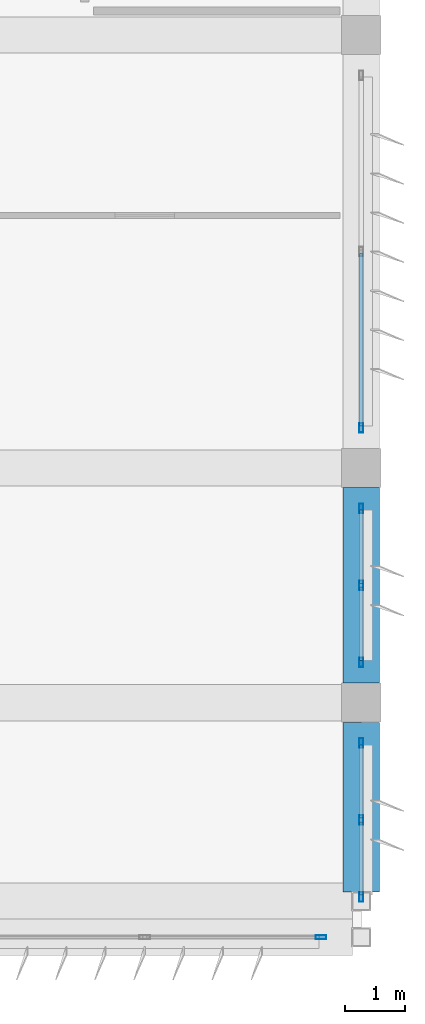
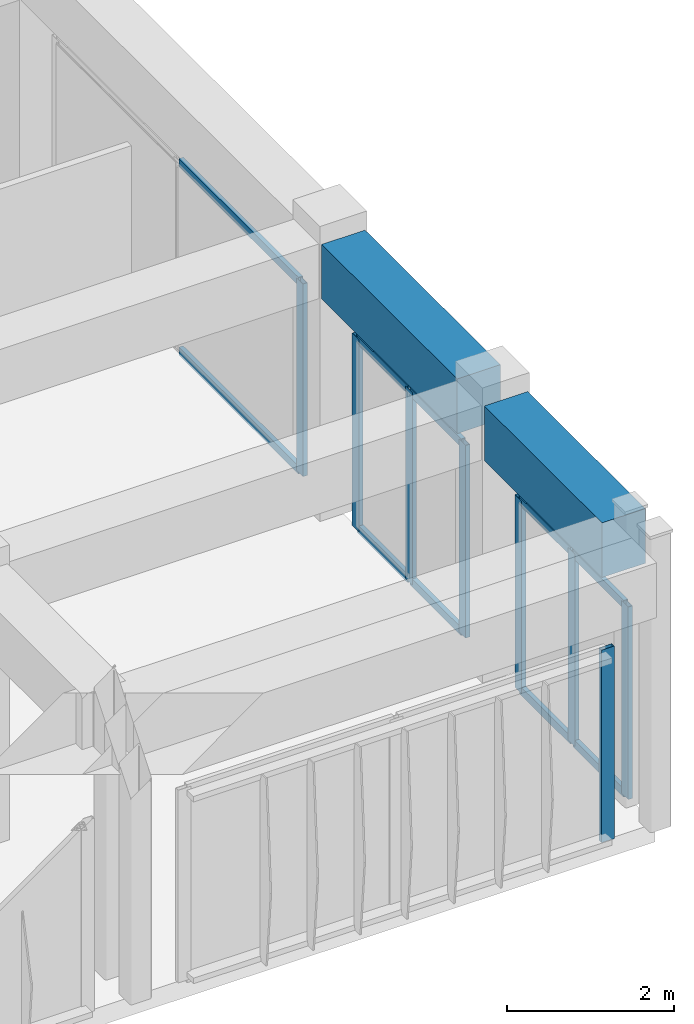
# One storey, part 24 of 42: 18 members, 2 beams, 4 elements without a shape of their own.
"""IFC4 building model written with IfcOpenShell, lengths in metres."""

from ifc_helpers import new_model, si_unit, direction, frame, origin, origin_2d, place, context, subcontext, project, spatial, rectangle, hollow_rectangle, extrude, material, material_profile, profile_set, type_object, element, aggregate, save


model = new_model("IFC4")

# Units and contexts
model_context = context("Model", 3, precision=1e-05, world=origin(), true_north=direction((0.0, 1.0)))
body_context = subcontext(model_context, "Body", "Model", "MODEL_VIEW")
ifc_project = project(units=[si_unit("LENGTHUNIT", "METRE"), si_unit("AREAUNIT", "SQUARE_METRE"), si_unit("VOLUMEUNIT", "CUBIC_METRE"), si_unit("PLANEANGLEUNIT", "RADIAN"), si_unit("MASSUNIT", "GRAM", prefix="KILO")], contexts=[model_context])

# Site, building, storey
site_placement = place(None, origin())
site = spatial("IfcSite", under=ifc_project, at=site_placement, CompositionType="ELEMENT")
building_placement = place(site_placement, origin())
building = spatial("IfcBuilding", under=site, at=building_placement, Name="Kazehaya Institute of Natural Sciences", CompositionType="ELEMENT")
storey_placement = place(building_placement, frame((0.0, 0.0, 37.6201171875)))
storey = spatial("IfcBuildingStorey", under=building, at=storey_placement, Name="L08", CompositionType="ELEMENT", Elevation=37.6201171875)

# Beams
ifc_material_1 = material(Name="Concrete Fc36", Category="concrete")
ifc_material_profile_1 = material_profile(ifc_material_1, rectangle(XDim=0.60009765625, YDim=0.800048828125, at=origin_2d()), Name="RC-600x800")
ifc_profile_set_1 = profile_set([ifc_material_profile_1], Name="Concrete Fc36")
beam_type = type_object("IfcBeamType", Name="BM-G-600x800", PredefinedType="BEAM", material=ifc_profile_set_1)
beam_1_placement = place(storey_placement, frame((119.39990234375, 6.949951171875, 3.64990234375), z_axis=(0.0, 1.0, 0.0), x_axis=(-1.0, 0.0, 0.0)))
element("IfcBeam", 1, at=beam_1_placement, inside=storey, type_object=beam_type, Name="L08 primary Y girder BMY-L08-1194-68", PredefinedType="BEAM", context=body_context, shape_type="SweptSolid", body=[
    extrude(rectangle(XDim=0.60009765625, YDim=0.800048828125, at=origin_2d()), origin(), (0.0, 0.0, 1.0), 2.824951171875),
])
beam_2_placement = place(storey_placement, frame((119.39990234375, 10.425048828125, 3.64990234375), z_axis=(0.0, 1.0, 0.0), x_axis=(-1.0, 0.0, 0.0)))
element("IfcBeam", 2, at=beam_2_placement, inside=storey, type_object=beam_type, Name="L08 primary Y girder BMY-L08-1194-101", PredefinedType="BEAM", context=body_context, shape_type="SweptSolid", body=[
    extrude(rectangle(XDim=0.60009765625, YDim=0.800048828125, at=origin_2d()), origin(), (0.0, 0.0, 1.0), 3.25),
])

# Curtain wall, members
ifc_material_2 = material(Name="Aluminium alloy A6063S-T5", Category="aluminium")
curtain_wall_type_1 = type_object("IfcCurtainWallType", Name="CW-SYS-09", PredefinedType="NOTDEFINED", material=ifc_material_2)
curtain_wall_1_placement = place(storey_placement, origin())
curtain_wall_1 = element("IfcCurtainWall", 3, at=curtain_wall_1_placement, inside=storey, type_object=curtain_wall_type_1, Name="L08 unitised curtain wall CW-L08-194", PredefinedType="NOTDEFINED")
ifc_material_profile_2 = material_profile(ifc_material_2, hollow_rectangle(XDim=0.06005859375, YDim=0.159912109375, WallThickness=0.00390625, at=origin_2d()), Name="ALU-60x160x4")
ifc_profile_set_2 = profile_set([ifc_material_profile_2], Name="Aluminium alloy A6063S-T5")
member_type_1 = type_object("IfcMemberType", Name="CWM-160", PredefinedType="MULLION", material=ifc_profile_set_2)
member_1_placement = place(storey_placement, frame((119.39990234375, 9.429931640625, 0.0), z_axis=(0.0, 0.0, 1.0), x_axis=(1.0, 0.0, 0.0)))
member_1 = element("IfcMember", 4, at=member_1_placement, type_object=member_type_1, Name="CW09 mullion 1", PredefinedType="MULLION", context=body_context, shape_type="SweptSolid", body=[
    extrude(hollow_rectangle(XDim=0.06005859375, YDim=0.159912109375, WallThickness=0.00390625, at=origin_2d()), origin(), (0.0, 0.0, 1.0), 2.81982421875),
])
member_2_placement = place(storey_placement, frame((119.39990234375, 8.14990234375, 0.0), z_axis=(0.0, 0.0, 1.0), x_axis=(1.0, 0.0, 0.0)))
member_2 = element("IfcMember", 5, at=member_2_placement, type_object=member_type_1, Name="CW09 mullion 2", PredefinedType="MULLION", context=body_context, shape_type="SweptSolid", body=[
    extrude(hollow_rectangle(XDim=0.06005859375, YDim=0.159912109375, WallThickness=0.00390625, at=origin_2d()), origin(), (0.0, 0.0, 1.0), 2.81982421875),
])
member_3_placement = place(storey_placement, frame((119.39990234375, 6.8701171875, 0.0), z_axis=(0.0, 0.0, 1.0), x_axis=(1.0, 0.0, 0.0)))
member_3 = element("IfcMember", 6, at=member_3_placement, type_object=member_type_1, Name="CW09 mullion 3", PredefinedType="MULLION", context=body_context, shape_type="SweptSolid", body=[
    extrude(hollow_rectangle(XDim=0.06005859375, YDim=0.159912109375, WallThickness=0.00390625, at=origin_2d()), origin(), (0.0, 0.0, 1.0), 2.81982421875),
])

curtain_wall_2_placement = place(storey_placement, origin())
curtain_wall_2 = element("IfcCurtainWall", 7, at=curtain_wall_2_placement, inside=storey, type_object=curtain_wall_type_1, Name="L08 unitised curtain wall CW-L08-196", PredefinedType="NOTDEFINED")
member_4_placement = place(storey_placement, frame((119.39990234375, 13.330078125, 0.0), z_axis=(0.0, 0.0, 1.0), x_axis=(1.0, 0.0, 0.0)))
member_4 = element("IfcMember", 8, at=member_4_placement, type_object=member_type_1, Name="CW09 mullion 1", PredefinedType="MULLION", context=body_context, shape_type="SweptSolid", body=[
    extrude(hollow_rectangle(XDim=0.06005859375, YDim=0.159912109375, WallThickness=0.00390625, at=origin_2d()), origin(), (0.0, 0.0, 1.0), 2.81982421875),
])
member_5_placement = place(storey_placement, frame((119.39990234375, 12.050048828125, 0.0), z_axis=(0.0, 0.0, 1.0), x_axis=(1.0, 0.0, 0.0)))
member_5 = element("IfcMember", 9, at=member_5_placement, type_object=member_type_1, Name="CW09 mullion 2", PredefinedType="MULLION", context=body_context, shape_type="SweptSolid", body=[
    extrude(hollow_rectangle(XDim=0.06005859375, YDim=0.159912109375, WallThickness=0.00390625, at=origin_2d()), origin(), (0.0, 0.0, 1.0), 2.81982421875),
])
member_6_placement = place(storey_placement, frame((119.39990234375, 10.77001953125, 0.0), z_axis=(0.0, 0.0, 1.0), x_axis=(1.0, 0.0, 0.0)))
member_6 = element("IfcMember", 10, at=member_6_placement, type_object=member_type_1, Name="CW09 mullion 3", PredefinedType="MULLION", context=body_context, shape_type="SweptSolid", body=[
    extrude(hollow_rectangle(XDim=0.06005859375, YDim=0.159912109375, WallThickness=0.00390625, at=origin_2d()), origin(), (0.0, 0.0, 1.0), 2.81982421875),
])

# Curtain wall, member
curtain_wall_type_2 = type_object("IfcCurtainWallType", Name="CW-SYS-10", PredefinedType="NOTDEFINED", material=ifc_material_2)
curtain_wall_3_placement = place(storey_placement, origin())
curtain_wall_3 = element("IfcCurtainWall", 11, at=curtain_wall_3_placement, inside=storey, type_object=curtain_wall_type_2, Name="L08 unitised curtain wall CW-L08-198", PredefinedType="NOTDEFINED")
member_7_placement = place(storey_placement, frame((119.39990234375, 14.669921875, 0.0), z_axis=(0.0, 0.0, 1.0), x_axis=(1.0, 0.0, 0.0)))
member_7 = element("IfcMember", 12, at=member_7_placement, type_object=member_type_1, Name="CW10 mullion 3", PredefinedType="MULLION", context=body_context, shape_type="SweptSolid", body=[
    extrude(hollow_rectangle(XDim=0.06005859375, YDim=0.159912109375, WallThickness=0.00390625, at=origin_2d()), origin(), (0.0, 0.0, 1.0), 2.81982421875),
])

curtain_wall_type_3 = type_object("IfcCurtainWallType", Name="CW-SYS-05", PredefinedType="NOTDEFINED", material=ifc_material_2)
curtain_wall_4_placement = place(storey_placement, origin())
curtain_wall_4 = element("IfcCurtainWall", 13, at=curtain_wall_4_placement, inside=storey, type_object=curtain_wall_type_3, Name="L08 unitised curtain wall CW-L08-176", PredefinedType="NOTDEFINED")
ifc_material_profile_3 = material_profile(ifc_material_2, hollow_rectangle(XDim=0.06005859375, YDim=0.179931640625, WallThickness=0.00390625, at=origin_2d()), Name="ALU-60x180x4")
ifc_profile_set_3 = profile_set([ifc_material_profile_3], Name="Aluminium alloy A6063S-T5")
member_type_2 = type_object("IfcMemberType", Name="CWM-180", PredefinedType="MULLION", material=ifc_profile_set_3)
member_8_placement = place(storey_placement, frame((118.72998046875, 6.199951171875, 0.0), z_axis=(0.0, 0.0, 1.0), x_axis=(0.0, -1.0, 0.0)))
member_8 = element("IfcMember", 14, at=member_8_placement, type_object=member_type_2, Name="CW05 mullion 1", PredefinedType="MULLION", context=body_context, shape_type="SweptSolid", body=[
    extrude(hollow_rectangle(XDim=0.06005859375, YDim=0.179931640625, WallThickness=0.00390625, at=origin_2d()), origin(), (0.0, 0.0, 1.0), 2.81982421875),
])
aggregate(curtain_wall_4, [member_8])

# Member
ifc_material_profile_4 = material_profile(ifc_material_2, hollow_rectangle(XDim=0.06005859375, YDim=0.1201171875, WallThickness=0.00341796875, at=origin_2d()), Name="ALU-60x120x3.5")
ifc_profile_set_4 = profile_set([ifc_material_profile_4], Name="Aluminium alloy A6063S-T5")
member_type_3 = type_object("IfcMemberType", Name="CWT-120", PredefinedType="USERDEFINED", material=ifc_profile_set_4)
member_9_placement = place(storey_placement, frame((119.39990234375, 9.39990234375, 0.02978515625), z_axis=(0.0, -1.0, 0.0), x_axis=(1.0, 0.0, 0.0)))
member_9 = element("IfcMember", 15, at=member_9_placement, type_object=member_type_3, Name="CW09 transom 1.1", ObjectType="TRANSOM", PredefinedType="USERDEFINED", context=body_context, shape_type="SweptSolid", body=[
    extrude(hollow_rectangle(XDim=0.06005859375, YDim=0.1201171875, WallThickness=0.00341796875, at=origin_2d()), origin(), (0.0, 0.0, 1.0), 1.219970703125),
])

member_10_placement = place(storey_placement, frame((119.39990234375, 9.39990234375, 2.789794921875), z_axis=(0.0, -1.0, 0.0), x_axis=(1.0, 0.0, 0.0)))
member_10 = element("IfcMember", 16, at=member_10_placement, type_object=member_type_3, Name="CW09 transom 1.2", ObjectType="TRANSOM", PredefinedType="USERDEFINED", context=body_context, shape_type="SweptSolid", body=[
    extrude(hollow_rectangle(XDim=0.06005859375, YDim=0.1201171875, WallThickness=0.00341796875, at=origin_2d()), origin(), (0.0, 0.0, 1.0), 1.219970703125),
])

member_11_placement = place(storey_placement, frame((119.39990234375, 8.1201171875, 0.02978515625), z_axis=(0.0, -1.0, 0.0), x_axis=(1.0, 0.0, 0.0)))
member_11 = element("IfcMember", 17, at=member_11_placement, type_object=member_type_3, Name="CW09 transom 2.1", ObjectType="TRANSOM", PredefinedType="USERDEFINED", context=body_context, shape_type="SweptSolid", body=[
    extrude(hollow_rectangle(XDim=0.06005859375, YDim=0.1201171875, WallThickness=0.00341796875, at=origin_2d()), origin(), (0.0, 0.0, 1.0), 1.22021484375),
])

member_12_placement = place(storey_placement, frame((119.39990234375, 8.1201171875, 2.789794921875), z_axis=(0.0, -1.0, 0.0), x_axis=(1.0, 0.0, 0.0)))
member_12 = element("IfcMember", 18, at=member_12_placement, type_object=member_type_3, Name="CW09 transom 2.2", ObjectType="TRANSOM", PredefinedType="USERDEFINED", context=body_context, shape_type="SweptSolid", body=[
    extrude(hollow_rectangle(XDim=0.06005859375, YDim=0.1201171875, WallThickness=0.00341796875, at=origin_2d()), origin(), (0.0, 0.0, 1.0), 1.22021484375),
])

aggregate(curtain_wall_1, [member_1, member_2, member_3, member_9, member_10, member_11, member_12])

member_13_placement = place(storey_placement, frame((119.39990234375, 13.300048828125, 0.02978515625), z_axis=(0.0, -1.0, 0.0), x_axis=(1.0, 0.0, 0.0)))
member_13 = element("IfcMember", 19, at=member_13_placement, type_object=member_type_3, Name="CW09 transom 1.1", ObjectType="TRANSOM", PredefinedType="USERDEFINED", context=body_context, shape_type="SweptSolid", body=[
    extrude(hollow_rectangle(XDim=0.06005859375, YDim=0.1201171875, WallThickness=0.00341796875, at=origin_2d()), origin(), (0.0, 0.0, 1.0), 1.219970703125),
])

member_14_placement = place(storey_placement, frame((119.39990234375, 13.300048828125, 2.789794921875), z_axis=(0.0, -1.0, 0.0), x_axis=(1.0, 0.0, 0.0)))
member_14 = element("IfcMember", 20, at=member_14_placement, type_object=member_type_3, Name="CW09 transom 1.2", ObjectType="TRANSOM", PredefinedType="USERDEFINED", context=body_context, shape_type="SweptSolid", body=[
    extrude(hollow_rectangle(XDim=0.06005859375, YDim=0.1201171875, WallThickness=0.00341796875, at=origin_2d()), origin(), (0.0, 0.0, 1.0), 1.219970703125),
])

member_15_placement = place(storey_placement, frame((119.39990234375, 12.02001953125, 0.02978515625), z_axis=(0.0, -1.0, 0.0), x_axis=(1.0, 0.0, 0.0)))
member_15 = element("IfcMember", 21, at=member_15_placement, type_object=member_type_3, Name="CW09 transom 2.1", ObjectType="TRANSOM", PredefinedType="USERDEFINED", context=body_context, shape_type="SweptSolid", body=[
    extrude(hollow_rectangle(XDim=0.06005859375, YDim=0.1201171875, WallThickness=0.00341796875, at=origin_2d()), origin(), (0.0, 0.0, 1.0), 1.219970703125),
])

member_16_placement = place(storey_placement, frame((119.39990234375, 12.02001953125, 2.789794921875), z_axis=(0.0, -1.0, 0.0), x_axis=(1.0, 0.0, 0.0)))
member_16 = element("IfcMember", 22, at=member_16_placement, type_object=member_type_3, Name="CW09 transom 2.2", ObjectType="TRANSOM", PredefinedType="USERDEFINED", context=body_context, shape_type="SweptSolid", body=[
    extrude(hollow_rectangle(XDim=0.06005859375, YDim=0.1201171875, WallThickness=0.00341796875, at=origin_2d()), origin(), (0.0, 0.0, 1.0), 1.219970703125),
])

aggregate(curtain_wall_2, [member_4, member_5, member_6, member_13, member_14, member_15, member_16])

member_17_placement = place(storey_placement, frame((119.39990234375, 17.570068359375, 0.02978515625), z_axis=(0.0, -1.0, 0.0), x_axis=(1.0, 0.0, 0.0)))
member_17 = element("IfcMember", 23, at=member_17_placement, type_object=member_type_3, Name="CW10 transom 2.1", ObjectType="TRANSOM", PredefinedType="USERDEFINED", context=body_context, shape_type="SweptSolid", body=[
    extrude(hollow_rectangle(XDim=0.06005859375, YDim=0.1201171875, WallThickness=0.00341796875, at=origin_2d()), origin(), (0.0, 0.0, 1.0), 2.8701171875),
])

member_18_placement = place(storey_placement, frame((119.39990234375, 17.570068359375, 2.789794921875), z_axis=(0.0, -1.0, 0.0), x_axis=(1.0, 0.0, 0.0)))
member_18 = element("IfcMember", 24, at=member_18_placement, type_object=member_type_3, Name="CW10 transom 2.2", ObjectType="TRANSOM", PredefinedType="USERDEFINED", context=body_context, shape_type="SweptSolid", body=[
    extrude(hollow_rectangle(XDim=0.06005859375, YDim=0.1201171875, WallThickness=0.00341796875, at=origin_2d()), origin(), (0.0, 0.0, 1.0), 2.8701171875),
])

aggregate(curtain_wall_3, [member_7, member_17, member_18])

save(model, "model.ifc")
